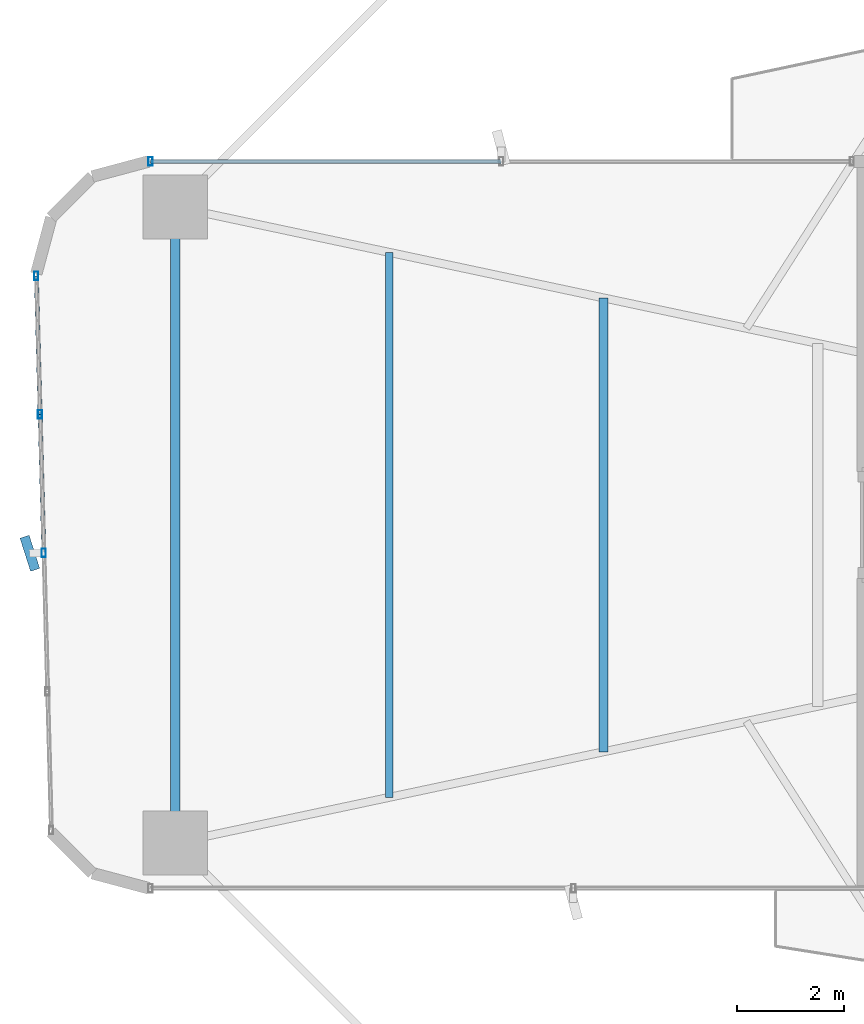
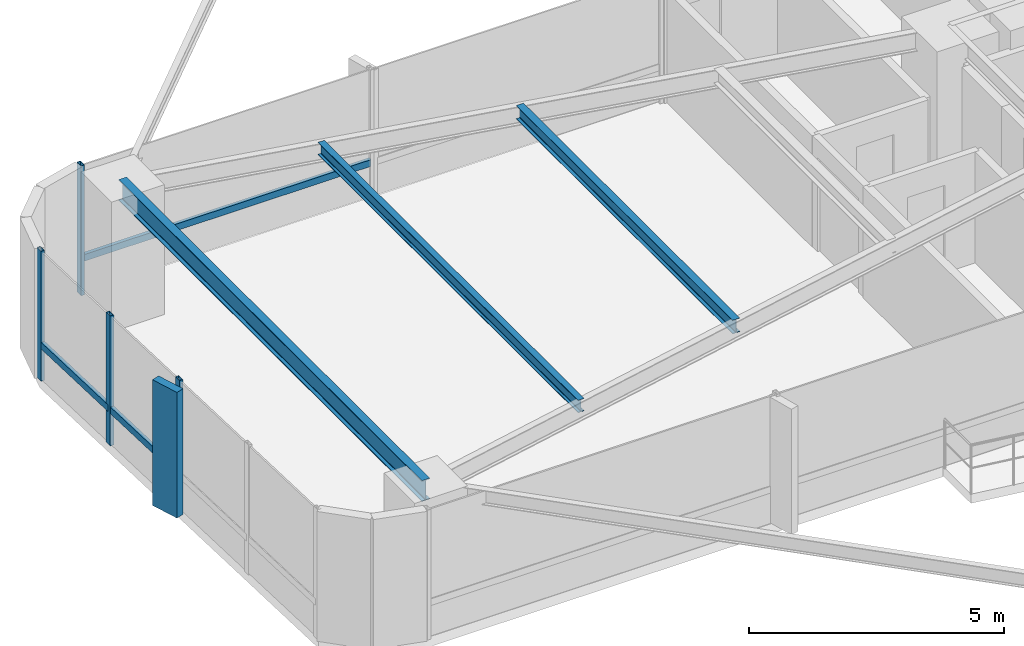
# One storey, part 8 of 25: 8 members, 3 beams, 2 elements without a shape of their own.
"""IFC4 building model written with IfcOpenShell, lengths in metres."""

from ifc_helpers import new_model, si_unit, direction, frame, origin, origin_2d, place, context, subcontext, project, spatial, rectangle, hollow_rectangle, i_section, extrude, source, transform, mapped, material, material_profile, profile_set, type_object, element, aggregate, save


model = new_model("IFC4")

# Units and contexts
model_context = context("Model", 3, precision=1e-05, world=origin(), true_north=direction((0.0, 1.0)))
body_context = subcontext(model_context, "Body", "Model", "MODEL_VIEW")
ifc_project = project(units=[si_unit("LENGTHUNIT", "METRE"), si_unit("AREAUNIT", "SQUARE_METRE"), si_unit("VOLUMEUNIT", "CUBIC_METRE"), si_unit("PLANEANGLEUNIT", "RADIAN"), si_unit("MASSUNIT", "GRAM", prefix="KILO")], contexts=[model_context])

# Site, building, storey
site_placement = place(None, origin())
site = spatial("IfcSite", under=ifc_project, at=site_placement, CompositionType="ELEMENT")
building_placement = place(site_placement, origin())
building = spatial("IfcBuilding", under=site, at=building_placement, Name="Sahyath Konkavel Grand Hotel", CompositionType="ELEMENT")
storey_placement = place(building_placement, frame((0.0, 0.0, 64.449951171875)))
storey = spatial("IfcBuildingStorey", under=building, at=storey_placement, Name="L17", CompositionType="ELEMENT", Elevation=64.449951171875)

# Beams
ifc_material_1 = material(Name="Steel E350", Category="steel")
ifc_material_profile_1 = material_profile(ifc_material_1, i_section(OverallWidth=0.179931640625, OverallDepth=0.5, WebThickness=0.01025390625, FlangeThickness=0.01708984375, FilletRadius=0.01708984375, at=origin_2d()), Name="ISMB 500")
ifc_profile_set_1 = profile_set([ifc_material_profile_1], Name="Steel E350")
beam_type_1 = type_object("IfcBeamType", Name="BM-ISMB500", PredefinedType="BEAM", material=ifc_profile_set_1)
shared_shape_1 = source(origin(), body_context, "Body", "SweptSolid", [
    extrude(i_section(OverallWidth=0.179931640625, OverallDepth=0.5, WebThickness=0.01025390625, FlangeThickness=0.01708984375, FilletRadius=0.01708984375, at=origin_2d()), origin(), (0.0, 0.0, 1.0), 11.89990234375),
])
beam_1_placement = place(storey_placement, frame((-22.199951171875, 5.949951171875, 2.860107421875), z_axis=(0.0, -1.0, 0.0), x_axis=(1.0, 0.0, 0.0)))
element("IfcBeam", 1, at=beam_1_placement, inside=storey, type_object=beam_type_1, Name="L17 Wing Tip Edge Beam W", PredefinedType="BEAM", context=body_context, shape_type="MappedRepresentation", body=[
    mapped(shared_shape_1, transform((0.0, 0.0, 0.0), scale=1.0)),
])
ifc_material_profile_2 = material_profile(ifc_material_1, i_section(OverallWidth=0.1650390625, OverallDepth=0.324951171875, WebThickness=0.007080078125, FlangeThickness=0.009765625, FilletRadius=0.014892578125, at=origin_2d()), Name="ISLB 325")
ifc_profile_set_2 = profile_set([ifc_material_profile_2], Name="Steel E350")
beam_type_2 = type_object("IfcBeamType", Name="BM-ISLB325", PredefinedType="BEAM", material=ifc_profile_set_2)
shared_shape_2 = source(origin(), body_context, "Body", "SweptSolid", [
    extrude(i_section(OverallWidth=0.1650390625, OverallDepth=0.324951171875, WebThickness=0.007080078125, FlangeThickness=0.009765625, FilletRadius=0.014892578125, at=origin_2d()), origin(), (0.0, 0.0, 1.0), 8.4921875),
])
beam_2_placement = place(storey_placement, frame((-14.18408203125, 4.24609375, 2.947509765625), z_axis=(0.0, -1.0, 0.0), x_axis=(1.0, 0.0, 0.0)))
element("IfcBeam", 2, at=beam_2_placement, inside=storey, type_object=beam_type_2, Name="L17 Secondary Floor Beam W-2", PredefinedType="BEAM", context=body_context, shape_type="MappedRepresentation", body=[
    mapped(shared_shape_2, transform((0.0, 0.0, 0.0), scale=1.0)),
])
ifc_material_profile_3 = material_profile(ifc_material_1, i_section(OverallWidth=0.139892578125, OverallDepth=0.300048828125, WebThickness=0.0078125, FlangeThickness=0.01318359375, FilletRadius=0.013916015625, at=origin_2d()), Name="ISMB 300")
ifc_profile_set_3 = profile_set([ifc_material_profile_3], Name="Steel E350")
beam_type_3 = type_object("IfcBeamType", Name="BM-ISMB300", PredefinedType="BEAM", material=ifc_profile_set_3)
shared_shape_3 = source(origin(), body_context, "Body", "SweptSolid", [
    extrude(i_section(OverallWidth=0.139892578125, OverallDepth=0.300048828125, WebThickness=0.0078125, FlangeThickness=0.01318359375, FilletRadius=0.013916015625, at=origin_2d()), origin(), (0.0, 0.0, 1.0), 10.19580078125),
])
beam_3_placement = place(storey_placement, frame((-18.19189453125, 5.097900390625, 2.9599609375), z_axis=(0.0, -1.0, 0.0), x_axis=(1.0, 0.0, 0.0)))
element("IfcBeam", 3, at=beam_3_placement, inside=storey, type_object=beam_type_3, Name="L17 Secondary Floor Beam W-3", PredefinedType="BEAM", context=body_context, shape_type="MappedRepresentation", body=[
    mapped(shared_shape_3, transform((0.0, 0.0, 0.0), scale=1.0)),
])

# Curtain wall, members
ifc_material_2 = material(Name="Anodised Bronze Aluminium & Low-E Glazing", Category="aluminium")
curtain_wall_type = type_object("IfcCurtainWallType", Name="CW-ZONE1", PredefinedType="NOTDEFINED", material=ifc_material_2)
curtain_wall_1_placement = place(storey_placement, origin())
curtain_wall_1 = element("IfcCurtainWall", 4, at=curtain_wall_1_placement, inside=storey, type_object=curtain_wall_type, Name="L17 Unitised Curtain Wall F20", PredefinedType="NOTDEFINED")
ifc_material_3 = material(Name="Warm Buff Sandstone Cladding on Concrete C50/60", Category="masonry")
ifc_material_profile_4 = material_profile(ifc_material_3, rectangle(XDim=0.179931640625, YDim=0.64990234375, at=origin_2d()), Name="FIN 180x650")
ifc_profile_set_4 = profile_set([ifc_material_profile_4], Name="Warm Buff Sandstone Cladding on Concrete C50/60")
member_type_1 = type_object("IfcMemberType", Name="FIN-SANDSTONE-650", PredefinedType="MULLION", material=ifc_profile_set_4)
shared_shape_4 = source(origin(), body_context, "Body", "SweptSolid", [
    extrude(rectangle(XDim=0.179931640625, YDim=0.64990234375, at=origin_2d()), origin(), (0.0, 0.0, 1.0), 3.010009765625),
])
member_1_placement = place(storey_placement, frame((-24.919189453125, -0.531982421875, 0.050048828125), z_axis=(0.0, 0.0, 1.0), x_axis=(0.952767550771, 0.303700500819, 0.0)))
member_1 = element("IfcMember", 5, at=member_1_placement, type_object=member_type_1, Name="L17 Sandstone Vertical Solar Fin FIN F20-2", PredefinedType="MULLION", context=body_context, shape_type="MappedRepresentation", body=[
    mapped(shared_shape_4, transform((0.0, 0.0, 0.0), scale=1.0)),
])
ifc_material_4 = material(Name="Anodised Bronze Aluminium", Category="aluminium")
ifc_material_profile_5 = material_profile(ifc_material_4, hollow_rectangle(XDim=0.080078125, YDim=0.159912109375, WallThickness=0.006103515625, at=origin_2d()), Name="RHS 160x80x6")
ifc_profile_set_5 = profile_set([ifc_material_profile_5], Name="Anodised Bronze Aluminium")
member_type_2 = type_object("IfcMemberType", Name="CW-TRN-160", PredefinedType="USERDEFINED", material=ifc_profile_set_5)
shared_shape_5 = source(origin(), body_context, "Body", "SweptSolid", [
    extrude(hollow_rectangle(XDim=0.080078125, YDim=0.159912109375, WallThickness=0.006103515625, at=origin_2d()), origin(), (0.0, 0.0, 1.0), 2.593505859375),
])
member_2_placement = place(storey_placement, frame((-24.798828125, 4.659912109375, 0.85009765625), z_axis=(0.026923093252, -0.999637507825, 0.0), x_axis=(0.999637507825, 0.026923093252, 0.0)))
member_2 = element("IfcMember", 6, at=member_2_placement, type_object=member_type_2, Name="L17 Curtain Wall Transom F20-0-spandrel", ObjectType="TRANSOM", PredefinedType="USERDEFINED", context=body_context, shape_type="MappedRepresentation", body=[
    mapped(shared_shape_5, transform((0.0, 0.0, 0.0), scale=1.0)),
])
shared_shape_6 = source(origin(), body_context, "Body", "SweptSolid", [
    extrude(hollow_rectangle(XDim=0.080078125, YDim=0.159912109375, WallThickness=0.006103515625, at=origin_2d()), origin(), (0.0, 0.0, 1.0), 2.59326171875),
])
member_3_placement = place(storey_placement, frame((-24.72900390625, 2.0673828125, 0.85009765625), z_axis=(0.026925627022, -0.99963743958, 0.0), x_axis=(0.99963743958, 0.026925627022, 0.0)))
member_3 = element("IfcMember", 7, at=member_3_placement, type_object=member_type_2, Name="L17 Curtain Wall Transom F20-1-spandrel", ObjectType="TRANSOM", PredefinedType="USERDEFINED", context=body_context, shape_type="MappedRepresentation", body=[
    mapped(shared_shape_6, transform((0.0, 0.0, 0.0), scale=1.0)),
])

# Curtain wall, member
curtain_wall_2_placement = place(storey_placement, origin())
curtain_wall_2 = element("IfcCurtainWall", 8, at=curtain_wall_2_placement, inside=storey, type_object=curtain_wall_type, Name="L17 Unitised Curtain Wall F16", PredefinedType="NOTDEFINED")
ifc_material_profile_6 = material_profile(ifc_material_4, hollow_rectangle(XDim=0.080078125, YDim=0.159912109375, WallThickness=0.006103515625, at=origin_2d()), Name="RHS 160x80x6")
ifc_profile_set_6 = profile_set([ifc_material_profile_6], Name="Anodised Bronze Aluminium")
member_type_3 = type_object("IfcMemberType", Name="CW-MUL-160", PredefinedType="MULLION", material=ifc_profile_set_6)
shared_shape_7 = source(origin(), body_context, "Body", "SweptSolid", [
    extrude(hollow_rectangle(XDim=0.080078125, YDim=0.159912109375, WallThickness=0.006103515625, at=origin_2d()), origin(), (0.0, 0.0, 1.0), 3.110107421875),
])
member_4_placement = place(storey_placement, frame((-22.659912109375, 6.800048828125, 0.0), z_axis=(0.0, 0.0, 1.0), x_axis=(1.0, 0.0, 0.0)))
member_4 = element("IfcMember", 9, at=member_4_placement, type_object=member_type_3, Name="L17 Curtain Wall Mullion F16-2", PredefinedType="MULLION", context=body_context, shape_type="MappedRepresentation", body=[
    mapped(shared_shape_7, transform((0.0, 0.0, 0.0), scale=1.0)),
])

# Member
member_5_placement = place(storey_placement, frame((-24.798828125, 4.659912109375, 0.0), z_axis=(0.0, 0.0, 1.0), x_axis=(1.0, 0.0, 0.0)))
member_5 = element("IfcMember", 10, at=member_5_placement, type_object=member_type_3, Name="L17 Curtain Wall Mullion F20-0", PredefinedType="MULLION", context=body_context, shape_type="MappedRepresentation", body=[
    mapped(shared_shape_7, transform((0.0, 0.0, 0.0), scale=1.0)),
])

member_6_placement = place(storey_placement, frame((-24.72900390625, 2.0673828125, 0.0), z_axis=(0.0, 0.0, 1.0), x_axis=(1.0, 0.0, 0.0)))
member_6 = element("IfcMember", 11, at=member_6_placement, type_object=member_type_3, Name="L17 Curtain Wall Mullion F20-1", PredefinedType="MULLION", context=body_context, shape_type="MappedRepresentation", body=[
    mapped(shared_shape_7, transform((0.0, 0.0, 0.0), scale=1.0)),
])

member_7_placement = place(storey_placement, frame((-24.6591796875, -0.52490234375, 0.0), z_axis=(0.0, 0.0, 1.0), x_axis=(1.0, 0.0, 0.0)))
member_7 = element("IfcMember", 12, at=member_7_placement, type_object=member_type_3, Name="L17 Curtain Wall Mullion F20-2", PredefinedType="MULLION", context=body_context, shape_type="MappedRepresentation", body=[
    mapped(shared_shape_7, transform((0.0, 0.0, 0.0), scale=1.0)),
])

aggregate(curtain_wall_1, [member_5, member_6, member_7, member_1, member_2, member_3])

shared_shape_8 = source(origin(), body_context, "Body", "SweptSolid", [
    extrude(hollow_rectangle(XDim=0.080078125, YDim=0.159912109375, WallThickness=0.006103515625, at=origin_2d()), origin(), (0.0, 0.0, 1.0), 6.559814453125),
])
member_8_placement = place(storey_placement, frame((-16.10009765625, 6.800048828125, 0.85009765625), z_axis=(-1.0, 0.0, 0.0), x_axis=(0.0, -1.0, 0.0)))
member_8 = element("IfcMember", 13, at=member_8_placement, type_object=member_type_2, Name="L17 Curtain Wall Transom F16-1-spandrel", ObjectType="TRANSOM", PredefinedType="USERDEFINED", context=body_context, shape_type="MappedRepresentation", body=[
    mapped(shared_shape_8, transform((0.0, 0.0, 0.0), scale=1.0)),
])

aggregate(curtain_wall_2, [member_4, member_8])

save(model, "model.ifc")
